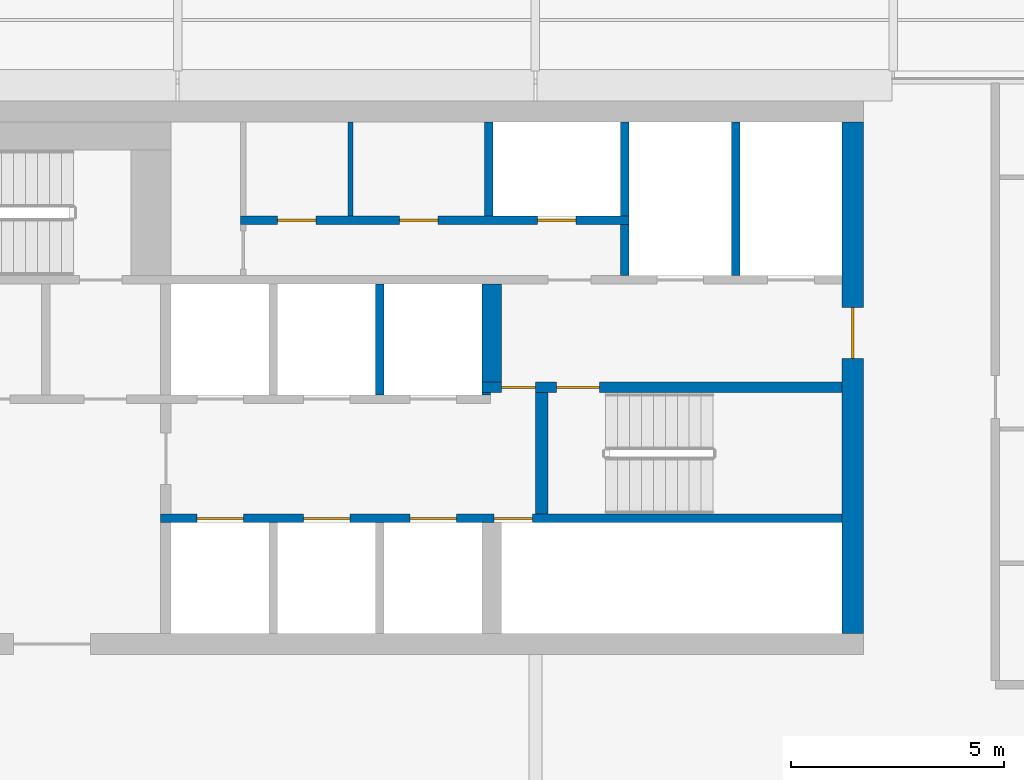
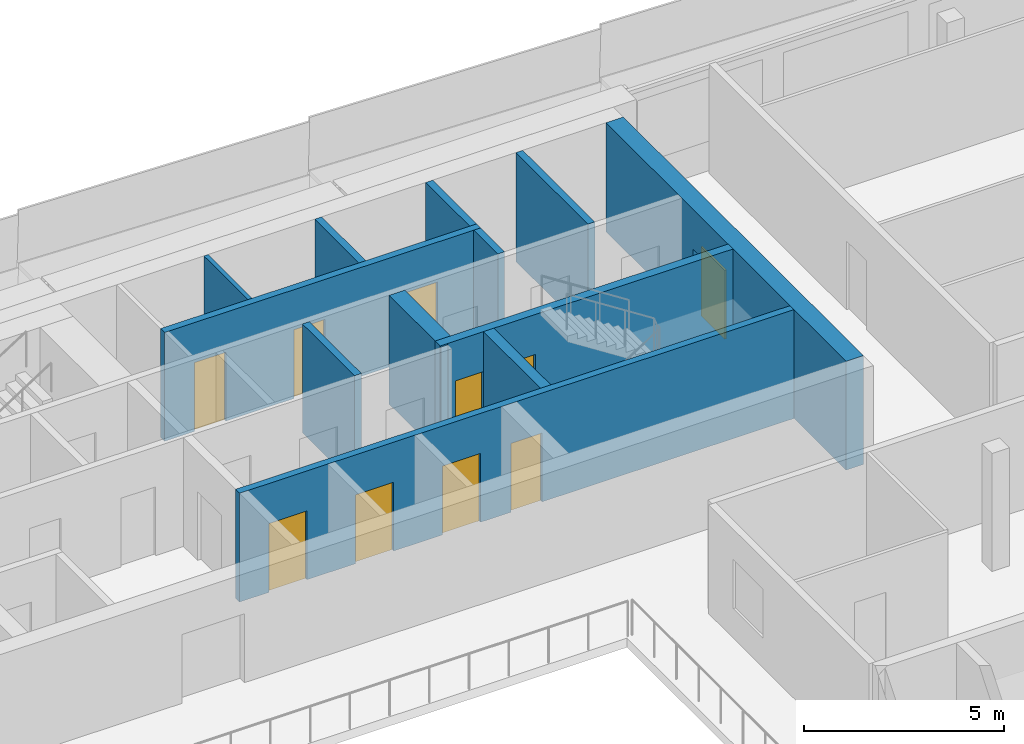
# One storey, part 21 of 33: 13 walls, 10 doors, 10 openings.
"""IFC4 building model written with IfcOpenShell, lengths in metres."""

from ifc_helpers import new_model, si_unit, direction, frame, frame_2d, origin, place, context, subcontext, project, spatial, rectangle, extrude, material, layer, layer_set, type_object, element, fill, save


model = new_model("IFC4")

# Units and contexts
model_context = context("Model", 3, precision=1e-05, world=origin(), true_north=direction((0.0, 1.0)))
body_context = subcontext(model_context, "Body", "Model", "MODEL_VIEW")
ifc_project = project(units=[si_unit("LENGTHUNIT", "METRE"), si_unit("AREAUNIT", "SQUARE_METRE"), si_unit("VOLUMEUNIT", "CUBIC_METRE"), si_unit("PLANEANGLEUNIT", "RADIAN"), si_unit("MASSUNIT", "GRAM", prefix="KILO")], contexts=[model_context])

# Site, building, storey
site_placement = place(None, origin())
site = spatial("IfcSite", under=ifc_project, at=site_placement, CompositionType="ELEMENT")
building_placement = place(site_placement, origin())
building = spatial("IfcBuilding", under=site, at=building_placement, Name="Saffron Gate Tower", CompositionType="ELEMENT")
storey_placement = place(building_placement, frame((0.0, 0.0, 263.550048828125)))
storey = spatial("IfcBuildingStorey", under=building, at=storey_placement, Name="L63", CompositionType="ELEMENT", Elevation=263.550048828125)

# Wall, opening, door
ifc_material_1 = material(Name="Concrete C50", Category="concrete")
ifc_layer_1 = layer(ifc_material_1, 0.5)
ifc_layer_set_1 = layer_set([ifc_layer_1], Name="CW22 RC core wall 500 C50")
wall_type_1 = type_object("IfcWallType", Name="CW22 RC core wall 500 C50", PredefinedType="SOLIDWALL", material=ifc_layer_set_1)
wall_1_placement = place(storey_placement, frame((107.64990234375, 62.39990234375, 0.0), z_axis=(0.0, 0.0, 1.0), x_axis=(0.0, 1.0, 0.0)))
wall_1 = element("IfcWall", 1, at=wall_1_placement, inside=storey, type_object=wall_type_1, Name="Wall CW22-L63-4", PredefinedType="SOLIDWALL", context=body_context, shape_type="SweptSolid", body=[
    extrude(rectangle(XDim=12.0, YDim=0.5, at=frame_2d((6.0, 0.0))), origin(), (0.0, 0.0, 1.0), 3.320068359375),
])
opening_1_placement = place(wall_1_placement, frame((6.449951171875, 0.0, 0.0)))
opening_1 = element("IfcOpeningElement", 2, at=opening_1_placement, cuts=wall_1, Name="Opening CR-08", PredefinedType="OPENING", context=body_context, shape_type="SweptSolid", body=[
    extrude(rectangle(XDim=1.199951171875, YDim=2.10009765625, at=frame_2d((0.60009765625, 1.050048828125))), frame((0.0, 0.260009765625, 0.0), z_axis=(0.0, -1.0, 0.0), x_axis=(1.0, 0.0, 0.0)), (0.0, 0.0, 1.0), 0.52001953125),
])
ifc_material_2 = material(Name="Steel fire door set", Category="steel")
door_type_1 = type_object("IfcDoorType", Name="CD7 Core entrance door 1200x2100 EI 120", OperationType="NOTDEFINED", PredefinedType="DOOR", material=ifc_material_2)
door_1_placement = place(opening_1_placement, origin())
door_1 = element("IfcDoor", 3, at=door_1_placement, inside=storey, type_object=door_type_1, Name="DOOR CR-08", OperationType="SINGLE_SWING_RIGHT", OverallHeight=2.10009765625, OverallWidth=1.199951171875, PredefinedType="DOOR", context=body_context, shape_type="SweptSolid", body=[
    extrude(rectangle(XDim=1.199951171875, YDim=2.10009765625, at=frame_2d((0.60009765625, 1.050048828125))), frame((0.0, 0.02490234375, 0.0), z_axis=(0.0, -1.0, 0.0), x_axis=(1.0, 0.0, 0.0)), (0.0, 0.0, 1.0), 0.050048828125),
])
fill(opening_1, door_1)

# Wall, openings, doors
ifc_layer_2 = layer(ifc_material_1, 0.25)
ifc_layer_set_2 = layer_set([ifc_layer_2], Name="CW23 RC core wall 250 C50")
wall_type_2 = type_object("IfcWallType", Name="CW23 RC core wall 250 C50", PredefinedType="SOLIDWALL", material=ifc_layer_set_2)
wall_2_placement = place(storey_placement, frame((98.949951171875, 68.175048828125, 0.0), z_axis=(0.0, 0.0, 1.0), x_axis=(1.0, 0.0, 0.0)))
wall_2 = element("IfcWall", 4, at=wall_2_placement, inside=storey, type_object=wall_type_2, Name="Wall CW23-L63-28", PredefinedType="SOLIDWALL", context=body_context, shape_type="SweptSolid", body=[
    extrude(rectangle(XDim=8.449951171875, YDim=0.25, at=frame_2d((4.22509765625, 0.0))), origin(), (0.0, 0.0, 1.0), 3.320068359375),
])
opening_2_placement = place(wall_2_placement, frame((0.449951171875, 0.0, 0.0)))
opening_2 = element("IfcOpeningElement", 5, at=opening_2_placement, cuts=wall_2, Name="Opening CR-05", PredefinedType="OPENING", context=body_context, shape_type="SweptSolid", body=[
    extrude(rectangle(XDim=0.800048828125, YDim=2.10009765625, at=frame_2d((0.39990234375, 1.050048828125))), frame((0.0, 0.135009765625, 0.0), z_axis=(0.0, -1.0, 0.0), x_axis=(1.0, 0.0, 0.0)), (0.0, 0.0, 1.0), 0.27001953125),
])
opening_3_placement = place(wall_2_placement, frame((1.75, 0.0, 0.0)))
opening_3 = element("IfcOpeningElement", 6, at=opening_3_placement, cuts=wall_2, Name="Opening CR-16", PredefinedType="OPENING", context=body_context, shape_type="SweptSolid", body=[
    extrude(rectangle(XDim=1.0, YDim=2.10009765625, at=frame_2d((0.5, 1.050048828125))), frame((0.0, 0.135009765625, 0.0), z_axis=(0.0, -1.0, 0.0), x_axis=(1.0, 0.0, 0.0)), (0.0, 0.0, 1.0), 0.27001953125),
])
door_type_2 = type_object("IfcDoorType", Name="CD5 Stair door 1000x2100 EI 120", OperationType="NOTDEFINED", PredefinedType="DOOR", material=ifc_material_2)
door_2_placement = place(opening_3_placement, origin())
door_2 = element("IfcDoor", 7, at=door_2_placement, inside=storey, type_object=door_type_2, Name="DOOR CR-16", OperationType="SINGLE_SWING_RIGHT", OverallHeight=2.10009765625, OverallWidth=1.0, PredefinedType="DOOR", context=body_context, shape_type="SweptSolid", body=[
    extrude(rectangle(XDim=1.0, YDim=2.10009765625, at=frame_2d((0.5, 1.050048828125))), frame((0.0, 0.02490234375, 0.0), z_axis=(0.0, -1.0, 0.0), x_axis=(1.0, 0.0, 0.0)), (0.0, 0.0, 1.0), 0.050048828125),
])
fill(opening_3, door_2)
door_type_3 = type_object("IfcDoorType", Name="CD6 Lobby door 800x2100 EI 120", OperationType="NOTDEFINED", PredefinedType="DOOR", material=ifc_material_2)
door_3_placement = place(opening_2_placement, origin())
door_3 = element("IfcDoor", 8, at=door_3_placement, inside=storey, type_object=door_type_3, Name="DOOR CR-05", OperationType="SINGLE_SWING_LEFT", OverallHeight=2.10009765625, OverallWidth=0.800048828125, PredefinedType="DOOR", context=body_context, shape_type="SweptSolid", body=[
    extrude(rectangle(XDim=0.800048828125, YDim=2.10009765625, at=frame_2d((0.39990234375, 1.050048828125))), frame((0.0, 0.02490234375, 0.0), z_axis=(0.0, -1.0, 0.0), x_axis=(1.0, 0.0, 0.0)), (0.0, 0.0, 1.0), 0.050048828125),
])
fill(opening_2, door_3)

# Wall
ifc_layer_3 = layer(ifc_material_1, 0.449951171875)
ifc_layer_set_3 = layer_set([ifc_layer_3], Name="CW24 RC core wall 450 C50")
wall_type_3 = type_object("IfcWallType", Name="CW24 RC core wall 450 C50", PredefinedType="SOLIDWALL", material=ifc_layer_set_3)
wall_3_placement = place(storey_placement, frame((99.175048828125, 68.300048828125, 0.0), z_axis=(0.0, 0.0, 1.0), x_axis=(0.0, 1.0, 0.0)))
element("IfcWall", 9, at=wall_3_placement, inside=storey, type_object=wall_type_3, Name="Wall CW24-L63-30", PredefinedType="SOLIDWALL", context=body_context, shape_type="SweptSolid", body=[
    extrude(rectangle(XDim=2.300048828125, YDim=0.449951171875, at=frame_2d((1.14990234375, 0.0))), origin(), (0.0, 0.0, 1.0), 3.320068359375),
])

# Wall, openings, doors
ifc_layer_4 = layer(ifc_material_1, 0.199951171875)
ifc_layer_set_4 = layer_set([ifc_layer_4], Name="CW25 RC core wall 200 C50")
wall_type_4 = type_object("IfcWallType", Name="CW25 RC core wall 200 C50", PredefinedType="SOLIDWALL", material=ifc_layer_set_4)
wall_4_placement = place(storey_placement, frame((91.39990234375, 65.10009765625, 0.0), z_axis=(0.0, 0.0, 1.0), x_axis=(1.0, 0.0, 0.0)))
wall_4 = element("IfcWall", 10, at=wall_4_placement, inside=storey, type_object=wall_type_4, Name="Wall CW25-L63-13", PredefinedType="SOLIDWALL", context=body_context, shape_type="SweptSolid", body=[
    extrude(rectangle(XDim=16.0, YDim=0.199951171875, at=frame_2d((8.0, 0.0))), origin(), (0.0, 0.0, 1.0), 3.320068359375),
])
opening_4_placement = place(wall_4_placement, frame((0.85009765625, 0.0, 0.0)))
opening_4 = element("IfcOpeningElement", 11, at=opening_4_placement, cuts=wall_4, Name="Opening LD-HR1", PredefinedType="OPENING", context=body_context, shape_type="SweptSolid", body=[
    extrude(rectangle(XDim=1.10009765625, YDim=2.10009765625, at=frame_2d((0.550048828125, 1.050048828125))), frame((0.0, 0.10986328125, 0.0), z_axis=(0.0, -1.0, 0.0), x_axis=(1.0, 0.0, 0.0)), (0.0, 0.0, 1.0), 0.219970703125),
])
opening_5_placement = place(wall_4_placement, frame((3.35009765625, 0.0, 0.0)))
opening_5 = element("IfcOpeningElement", 12, at=opening_5_placement, cuts=wall_4, Name="Opening LD-HR2", PredefinedType="OPENING", context=body_context, shape_type="SweptSolid", body=[
    extrude(rectangle(XDim=1.10009765625, YDim=2.10009765625, at=frame_2d((0.550048828125, 1.050048828125))), frame((0.0, 0.10986328125, 0.0), z_axis=(0.0, -1.0, 0.0), x_axis=(1.0, 0.0, 0.0)), (0.0, 0.0, 1.0), 0.219970703125),
])
opening_6_placement = place(wall_4_placement, frame((5.85009765625, 0.0, 0.0)))
opening_6 = element("IfcOpeningElement", 13, at=opening_6_placement, cuts=wall_4, Name="Opening LD-HR3", PredefinedType="OPENING", context=body_context, shape_type="SweptSolid", body=[
    extrude(rectangle(XDim=1.10009765625, YDim=2.10009765625, at=frame_2d((0.550048828125, 1.050048828125))), frame((0.0, 0.10986328125, 0.0), z_axis=(0.0, -1.0, 0.0), x_axis=(1.0, 0.0, 0.0)), (0.0, 0.0, 1.0), 0.219970703125),
])
opening_7_placement = place(wall_4_placement, frame((7.830078125, 0.0, 0.0)))
opening_7 = element("IfcOpeningElement", 14, at=opening_7_placement, cuts=wall_4, Name="Opening CR-48", PredefinedType="OPENING", context=body_context, shape_type="SweptSolid", body=[
    extrude(rectangle(XDim=0.89990234375, YDim=2.10009765625, at=frame_2d((0.449951171875, 1.050048828125))), frame((0.0, 0.10986328125, 0.0), z_axis=(0.0, -1.0, 0.0), x_axis=(1.0, 0.0, 0.0)), (0.0, 0.0, 1.0), 0.219970703125),
])
door_type_4 = type_object("IfcDoorType", Name="CD2 Riser door 900x2100 EI 60", OperationType="NOTDEFINED", PredefinedType="DOOR", material=ifc_material_2)
door_4_placement = place(opening_7_placement, origin())
door_4 = element("IfcDoor", 15, at=door_4_placement, inside=storey, type_object=door_type_4, Name="DOOR CR-48", OperationType="SINGLE_SWING_RIGHT", OverallHeight=2.10009765625, OverallWidth=0.89990234375, PredefinedType="DOOR", context=body_context, shape_type="SweptSolid", body=[
    extrude(rectangle(XDim=0.89990234375, YDim=2.10009765625, at=frame_2d((0.449951171875, 1.050048828125))), frame((0.0, 0.02490234375, 0.0), z_axis=(0.0, -1.0, 0.0), x_axis=(1.0, 0.0, 0.0)), (0.0, 0.0, 1.0), 0.050048828125),
])
fill(opening_7, door_4)
ifc_material_3 = material(Name="Stainless steel landing door", Category="steel")
door_type_5 = type_object("IfcDoorType", Name="LD Lift landing door 1100x2100 EI 120", OperationType="SLIDING_TO_LEFT", PredefinedType="DOOR", material=ifc_material_3)
door_5_placement = place(opening_4_placement, origin())
door_5 = element("IfcDoor", 16, at=door_5_placement, inside=storey, type_object=door_type_5, Name="LANDING DOOR LD-HR1", OperationType="SLIDING_TO_LEFT", OverallHeight=2.10009765625, OverallWidth=1.10009765625, PredefinedType="DOOR", context=body_context, shape_type="SweptSolid", body=[
    extrude(rectangle(XDim=1.10009765625, YDim=2.10009765625, at=frame_2d((0.550048828125, 1.050048828125))), frame((0.0, 0.02490234375, 0.0), z_axis=(0.0, -1.0, 0.0), x_axis=(1.0, 0.0, 0.0)), (0.0, 0.0, 1.0), 0.050048828125),
])
fill(opening_4, door_5)
door_6_placement = place(opening_5_placement, origin())
door_6 = element("IfcDoor", 17, at=door_6_placement, inside=storey, type_object=door_type_5, Name="LANDING DOOR LD-HR2", OperationType="SLIDING_TO_LEFT", OverallHeight=2.10009765625, OverallWidth=1.10009765625, PredefinedType="DOOR", context=body_context, shape_type="SweptSolid", body=[
    extrude(rectangle(XDim=1.10009765625, YDim=2.10009765625, at=frame_2d((0.550048828125, 1.050048828125))), frame((0.0, 0.02490234375, 0.0), z_axis=(0.0, -1.0, 0.0), x_axis=(1.0, 0.0, 0.0)), (0.0, 0.0, 1.0), 0.050048828125),
])
fill(opening_5, door_6)
door_7_placement = place(opening_6_placement, origin())
door_7 = element("IfcDoor", 18, at=door_7_placement, inside=storey, type_object=door_type_5, Name="LANDING DOOR LD-HR3", OperationType="SLIDING_TO_LEFT", OverallHeight=2.10009765625, OverallWidth=1.10009765625, PredefinedType="DOOR", context=body_context, shape_type="SweptSolid", body=[
    extrude(rectangle(XDim=1.10009765625, YDim=2.10009765625, at=frame_2d((0.550048828125, 1.050048828125))), frame((0.0, 0.02490234375, 0.0), z_axis=(0.0, -1.0, 0.0), x_axis=(1.0, 0.0, 0.0)), (0.0, 0.0, 1.0), 0.050048828125),
])
fill(opening_6, door_7)

# Walls
wall_5_placement = place(storey_placement, frame((96.550048828125, 68.0, 0.0), z_axis=(0.0, 0.0, 1.0), x_axis=(0.0, 1.0, 0.0)))
element("IfcWall", 19, at=wall_5_placement, inside=storey, type_object=wall_type_4, Name="Wall CW25-L63-25", PredefinedType="SOLIDWALL", context=body_context, shape_type="SweptSolid", body=[
    extrude(rectangle(XDim=2.60009765625, YDim=0.199951171875, at=frame_2d((1.300048828125, 0.0))), origin(), (0.0, 0.0, 1.0), 3.320068359375),
])
wall_6_placement = place(storey_placement, frame((102.300048828125, 70.800048828125, 0.0), z_axis=(0.0, 0.0, 1.0), x_axis=(0.0, 1.0, 0.0)))
element("IfcWall", 20, at=wall_6_placement, inside=storey, type_object=wall_type_4, Name="Wall CW25-L63-38", PredefinedType="SOLIDWALL", context=body_context, shape_type="SweptSolid", body=[
    extrude(rectangle(XDim=1.199951171875, YDim=0.199951171875, at=frame_2d((0.60009765625, 0.0))), origin(), (0.0, 0.0, 1.0), 3.320068359375),
])
wall_7_placement = place(storey_placement, frame((104.89990234375, 70.800048828125, 0.0), z_axis=(0.0, 0.0, 1.0), x_axis=(0.0, 1.0, 0.0)))
element("IfcWall", 21, at=wall_7_placement, inside=storey, type_object=wall_type_4, Name="Wall CW25-L63-39", PredefinedType="SOLIDWALL", context=body_context, shape_type="SweptSolid", body=[
    extrude(rectangle(XDim=3.599853515625, YDim=0.199951171875, at=frame_2d((1.7998046875, 0.0))), origin(), (0.0, 0.0, 1.0), 3.320068359375),
])

# Wall, openings, doors
wall_8_placement = place(storey_placement, frame((93.280029296875, 72.10009765625, 0.0), z_axis=(0.0, 0.0, 1.0), x_axis=(1.0, 0.0, 0.0)))
wall_8 = element("IfcWall", 22, at=wall_8_placement, inside=storey, type_object=wall_type_4, Name="Wall CW25-L63-41", PredefinedType="SOLIDWALL", context=body_context, shape_type="SweptSolid", body=[
    extrude(rectangle(XDim=9.119873046875, YDim=0.199951171875, at=frame_2d((4.56005859375, 0.0))), origin(), (0.0, 0.0, 1.0), 3.320068359375),
])
opening_8_placement = place(wall_8_placement, frame((0.8701171875, 0.0, 0.0)))
opening_8 = element("IfcOpeningElement", 23, at=opening_8_placement, cuts=wall_8, Name="Opening CR-50", PredefinedType="OPENING", context=body_context, shape_type="SweptSolid", body=[
    extrude(rectangle(XDim=0.89990234375, YDim=2.10009765625, at=frame_2d((0.449951171875, 1.050048828125))), frame((0.0, 0.10986328125, 0.0), z_axis=(0.0, -1.0, 0.0), x_axis=(1.0, 0.0, 0.0)), (0.0, 0.0, 1.0), 0.219970703125),
])
opening_9_placement = place(wall_8_placement, frame((3.72998046875, 0.0, 0.0)))
opening_9 = element("IfcOpeningElement", 24, at=opening_9_placement, cuts=wall_8, Name="Opening CR-53", PredefinedType="OPENING", context=body_context, shape_type="SweptSolid", body=[
    extrude(rectangle(XDim=0.89990234375, YDim=2.10009765625, at=frame_2d((0.449951171875, 1.050048828125))), frame((0.0, 0.10986328125, 0.0), z_axis=(0.0, -1.0, 0.0), x_axis=(1.0, 0.0, 0.0)), (0.0, 0.0, 1.0), 0.219970703125),
])
opening_10_placement = place(wall_8_placement, frame((6.969970703125, 0.0, 0.0)))
opening_10 = element("IfcOpeningElement", 25, at=opening_10_placement, cuts=wall_8, Name="Opening CR-70", PredefinedType="OPENING", context=body_context, shape_type="SweptSolid", body=[
    extrude(rectangle(XDim=0.89990234375, YDim=2.10009765625, at=frame_2d((0.449951171875, 1.050048828125))), frame((0.0, 0.10986328125, 0.0), z_axis=(0.0, -1.0, 0.0), x_axis=(1.0, 0.0, 0.0)), (0.0, 0.0, 1.0), 0.219970703125),
])
door_8_placement = place(opening_10_placement, origin())
door_8 = element("IfcDoor", 26, at=door_8_placement, inside=storey, type_object=door_type_4, Name="DOOR CR-70", OperationType="SINGLE_SWING_LEFT", OverallHeight=2.10009765625, OverallWidth=0.89990234375, PredefinedType="DOOR", context=body_context, shape_type="SweptSolid", body=[
    extrude(rectangle(XDim=0.89990234375, YDim=2.10009765625, at=frame_2d((0.449951171875, 1.050048828125))), frame((0.0, 0.02490234375, 0.0), z_axis=(0.0, -1.0, 0.0), x_axis=(1.0, 0.0, 0.0)), (0.0, 0.0, 1.0), 0.050048828125),
])
fill(opening_10, door_8)
door_type_6 = type_object("IfcDoorType", Name="CD9 Room door 900x2100 EI 60", OperationType="NOTDEFINED", PredefinedType="DOOR", material=ifc_material_2)
door_9_placement = place(opening_8_placement, origin())
door_9 = element("IfcDoor", 27, at=door_9_placement, inside=storey, type_object=door_type_6, Name="DOOR CR-50", OperationType="SINGLE_SWING_LEFT", OverallHeight=2.10009765625, OverallWidth=0.89990234375, PredefinedType="DOOR", context=body_context, shape_type="SweptSolid", body=[
    extrude(rectangle(XDim=0.89990234375, YDim=2.10009765625, at=frame_2d((0.449951171875, 1.050048828125))), frame((0.0, 0.02490234375, 0.0), z_axis=(0.0, -1.0, 0.0), x_axis=(1.0, 0.0, 0.0)), (0.0, 0.0, 1.0), 0.050048828125),
])
fill(opening_8, door_9)
door_10_placement = place(opening_9_placement, origin())
door_10 = element("IfcDoor", 28, at=door_10_placement, inside=storey, type_object=door_type_6, Name="DOOR CR-53", OperationType="SINGLE_SWING_LEFT", OverallHeight=2.10009765625, OverallWidth=0.89990234375, PredefinedType="DOOR", context=body_context, shape_type="SweptSolid", body=[
    extrude(rectangle(XDim=0.89990234375, YDim=2.10009765625, at=frame_2d((0.449951171875, 1.050048828125))), frame((0.0, 0.02490234375, 0.0), z_axis=(0.0, -1.0, 0.0), x_axis=(1.0, 0.0, 0.0)), (0.0, 0.0, 1.0), 0.050048828125),
])
fill(opening_9, door_10)

# Walls
for number, where, z_axis, x_axis, name in (
    (29, (99.10009765625, 72.199951171875, 0.0), (0.0, 0.0, 1.0), (0.0, 1.0, 0.0), "Wall CW25-L63-48"),
    (30, (102.300048828125, 72.199951171875, 0.0), (0.0, 0.0, 1.0), (0.0, 1.0, 0.0), "Wall CW25-L63-49"),
):
    element("IfcWall", number, at=place(storey_placement, frame(where, z_axis=z_axis, x_axis=x_axis)), inside=storey, type_object=wall_type_4, Name=name, PredefinedType="SOLIDWALL", context=body_context, shape_type="SweptSolid", body=[
        extrude(rectangle(XDim=2.199951171875, YDim=0.199951171875, at=frame_2d((1.10009765625, 0.0))), origin(), (0.0, 0.0, 1.0), 3.320068359375),
    ])
ifc_layer_5 = layer(ifc_material_1, 0.300048828125)
ifc_layer_set_5 = layer_set([ifc_layer_5], Name="CW26 RC core wall 300 C50")
wall_type_5 = type_object("IfcWallType", Name="CW26 RC core wall 300 C50", PredefinedType="SOLIDWALL", material=ifc_layer_set_5)
wall_9_placement = place(storey_placement, frame((100.35009765625, 65.199951171875, 0.0), z_axis=(0.0, 0.0, 1.0), x_axis=(0.0, 1.0, 0.0)))
element("IfcWall", 31, at=wall_9_placement, inside=storey, type_object=wall_type_5, Name="Wall CW26-L63-17", PredefinedType="SOLIDWALL", context=body_context, shape_type="SweptSolid", body=[
    extrude(rectangle(XDim=2.85009765625, YDim=0.300048828125, at=frame_2d((1.425048828125, 0.0))), origin(), (0.0, 0.0, 1.0), 3.320068359375),
])
ifc_layer_6 = layer(ifc_material_1, 0.050048828125)
ifc_layer_set_6 = layer_set([ifc_layer_6], Name="CW27 RC core wall 50 C50")
wall_type_6 = type_object("IfcWallType", Name="CW27 RC core wall 50 C50", PredefinedType="SOLIDWALL", material=ifc_layer_set_6)
wall_10_placement = place(storey_placement, frame((98.949951171875, 68.02490234375, 0.0), z_axis=(0.0, 0.0, 1.0), x_axis=(1.0, 0.0, 0.0)))
element("IfcWall", 32, at=wall_10_placement, inside=storey, type_object=wall_type_6, Name="Wall CW27-L63-26", PredefinedType="SOLIDWALL", context=body_context, shape_type="SweptSolid", body=[
    extrude(rectangle(XDim=0.199951171875, YDim=0.050048828125, at=frame_2d((0.10009765625, 0.0))), origin(), (0.0, 0.0, 1.0), 3.320068359375),
])
ifc_material_4 = material(Name="Gypsum board partition on steel studs", Category="steel")
ifc_layer_7 = layer(ifc_material_4, 0.1201171875)
ifc_layer_set_7 = layer_set([ifc_layer_7], Name="CW8 Core partition 120")
wall_type_7 = type_object("IfcWallType", Name="CW8 Core partition 120", PredefinedType="PARTITIONING", material=ifc_layer_set_7)
wall_11_placement = place(storey_placement, frame((95.860107421875, 72.199951171875, 0.0), z_axis=(0.0, 0.0, 1.0), x_axis=(0.0, 1.0, 0.0)))
element("IfcWall", 33, at=wall_11_placement, inside=storey, type_object=wall_type_7, Name="Wall CW8-L63-47", PredefinedType="PARTITIONING", context=body_context, shape_type="SweptSolid", body=[
    extrude(rectangle(XDim=2.199951171875, YDim=0.1201171875, at=frame_2d((1.10009765625, 0.0))), origin(), (0.0, 0.0, 1.0), 3.320068359375),
])

save(model, "model.ifc")
